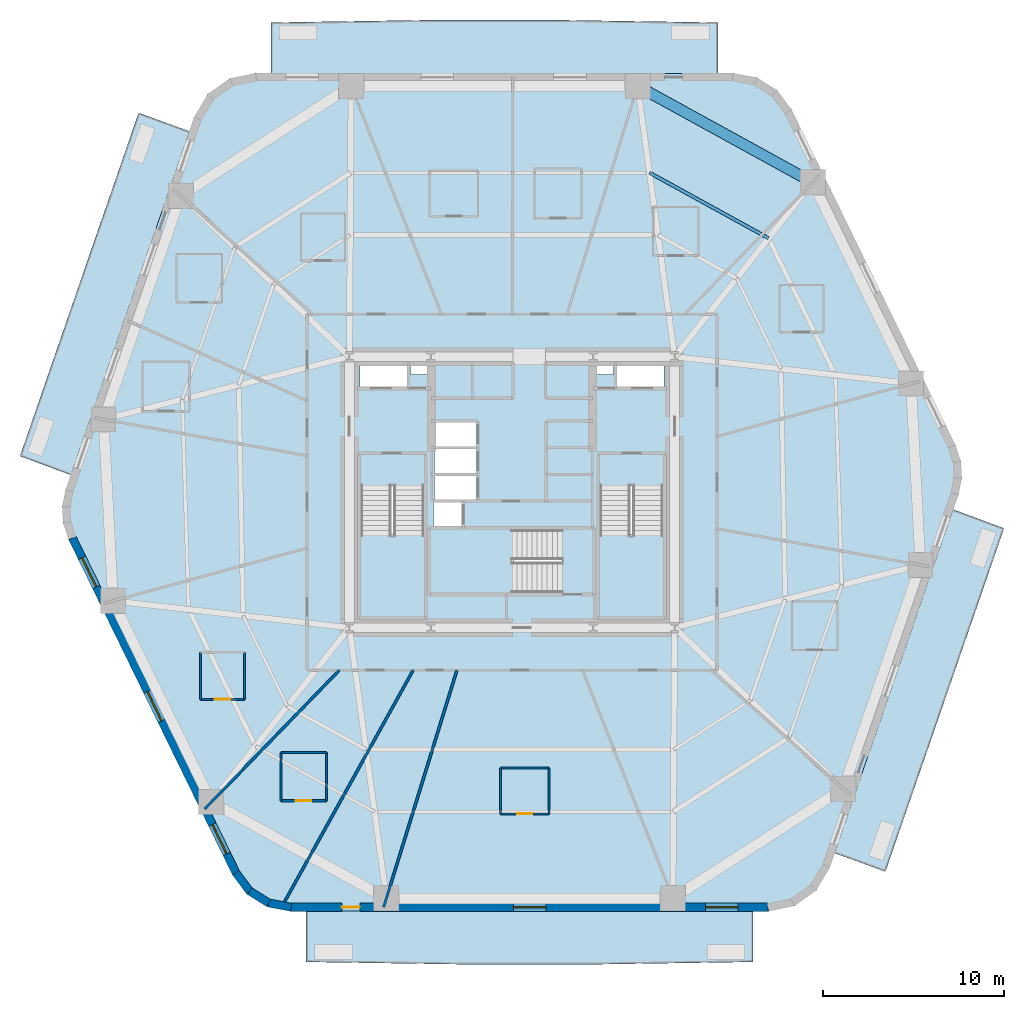
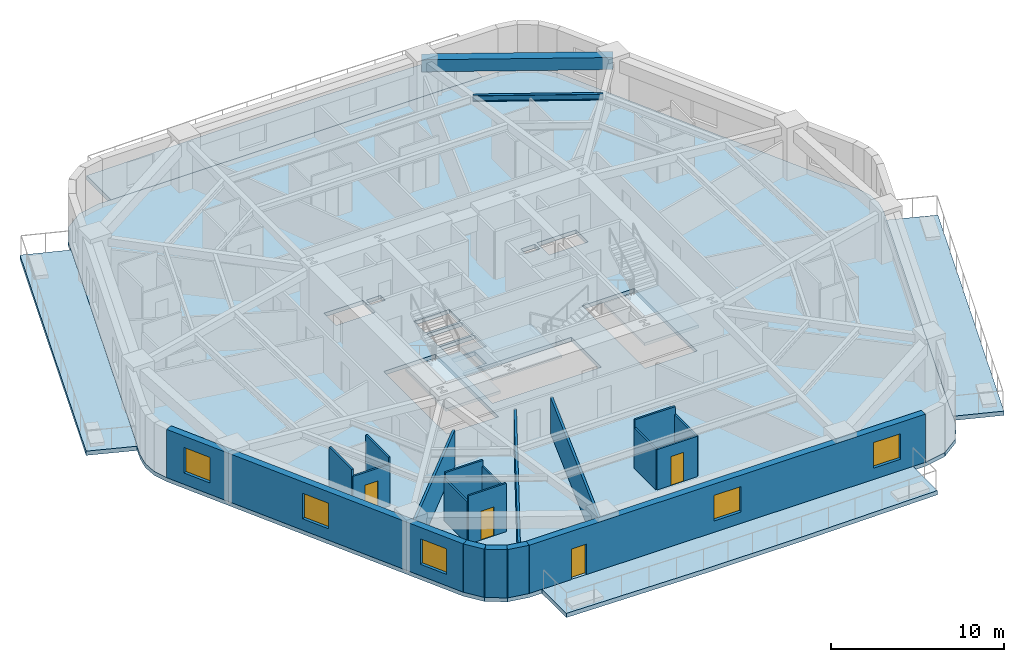
# One storey, part 2 of 10: 19 walls, 8 slabs, 5 windows, 4 doors, 2 beams, 9 openings, 3 elements without a shape of their own.
"""IFC4 building model written with IfcOpenShell, lengths in metres."""

from ifc_helpers import new_model, si_unit, direction, frame, frame_2d, origin, origin_2d, place, context, subcontext, project, spatial, polyline, rectangle, i_section, outline, extrude, material, layer, layer_set, material_profile, profile_set, type_object, element, fill, aggregate, save


model = new_model("IFC4")

# Units and contexts
model_context = context("Model", 3, precision=1e-05, world=origin(), true_north=direction((0.0, 1.0)))
body_context = subcontext(model_context, "Body", "Model", "MODEL_VIEW")
ifc_project = project(units=[si_unit("LENGTHUNIT", "METRE"), si_unit("AREAUNIT", "SQUARE_METRE"), si_unit("VOLUMEUNIT", "CUBIC_METRE"), si_unit("PLANEANGLEUNIT", "RADIAN"), si_unit("MASSUNIT", "GRAM", prefix="KILO")], contexts=[model_context])

# Site, building, storey
site_placement = place(None, origin())
site = spatial("IfcSite", under=ifc_project, at=site_placement, CompositionType="ELEMENT")
building_placement = place(site_placement, origin())
building = spatial("IfcBuilding", under=site, at=building_placement, Name="Kilnhurst Terrace Hotel", CompositionType="ELEMENT")
storey_placement = place(building_placement, frame((0.0, 0.0, 71.199951171875)))
storey = spatial("IfcBuildingStorey", under=building, at=storey_placement, Name="L16", CompositionType="ELEMENT", Elevation=71.199951171875)

# Beams
ifc_material_1 = material(Name="Concrete C50/60", Category="concrete")
ifc_material_profile_1 = material_profile(ifc_material_1, rectangle(XDim=0.60009765625, YDim=0.85009765625, at=origin_2d()), Name="RC600X850")
ifc_profile_set_1 = profile_set([ifc_material_profile_1], Name="Concrete C50/60")
beam_type_1 = type_object("IfcBeamType", Name="BM-SPN-600X850", PredefinedType="SPANDREL", material=ifc_profile_set_1)
beam_1_placement = place(storey_placement, frame((16.64306640625, 17.152099609375, 2.97509765625), z_axis=(-0.876235488803, 0.481883147829, 0.0), x_axis=(-0.481883147829, -0.876235488803, 0.0)))
element("IfcBeam", 1, at=beam_1_placement, inside=storey, type_object=beam_type_1, Name="L16 Perimeter Spandrel Beam 6", PredefinedType="SPANDREL", context=body_context, shape_type="SweptSolid", body=[
    extrude(rectangle(XDim=0.60009765625, YDim=0.85009765625, at=origin_2d()), origin(), (0.0, 0.0, 1.0), 11.056396484375),
])
ifc_material_2 = material(Name="Steel ASTM A992 Grade 50", Category="steel")
ifc_material_profile_2 = material_profile(ifc_material_2, i_section(OverallWidth=0.180908203125, OverallDepth=0.417236328125, WebThickness=0.010986328125, FlangeThickness=0.018310546875, at=origin_2d()), Name="W16X57")
ifc_profile_set_2 = profile_set([ifc_material_profile_2], Name="Steel ASTM A992 Grade 50")
beam_type_2 = type_object("IfcBeamType", Name="JST-STL-W16X57", PredefinedType="JOIST", material=ifc_profile_set_2)
beam_2_placement = place(storey_placement, frame((14.197265625, 14.0634765625, 3.191162109375), z_axis=(-0.876246073632, 0.481863900334, 0.0), x_axis=(-0.481863900334, -0.876246073632, 0.0)))
element("IfcBeam", 2, at=beam_2_placement, inside=storey, type_object=beam_type_2, Name="L16 Secondary Floor Steel Joist OUT.6", PredefinedType="JOIST", context=body_context, shape_type="SweptSolid", body=[
    extrude(i_section(OverallWidth=0.180908203125, OverallDepth=0.417236328125, WebThickness=0.010986328125, FlangeThickness=0.018310546875, at=origin_2d()), origin(), (0.0, 0.0, 1.0), 7.518310546875),
])

# Slabs
ifc_layer_1 = layer(ifc_material_1, 0.300048828125, Name="Concrete C50/60")
ifc_layer_set_1 = layer_set([ifc_layer_1], Name="Concrete C50/60")
slab_type_1 = type_object("IfcSlabType", Name="SLB-BAL-300", PredefinedType="FLOOR", material=ifc_layer_set_1)
slab_1_placement = place(storey_placement, frame((0.0, 0.0, -0.300048828125)))
element("IfcSlab", 3, at=slab_1_placement, inside=storey, type_object=slab_type_1, Name="L16 Cantilevered Planted Terrace Slab BAL-L1A", PredefinedType="FLOOR", context=body_context, shape_type="SweptSolid", body=[
    extrude(outline(polyline([(4.229248046875, -26.139892578125), (-2.279541015625, -26.139892578125), (-11.39208984375, -26.0), (-11.39208984375, -23.179931640625), (13.341552734375, -23.179931640625), (13.341552734375, -26.0), (4.229248046875, -26.139892578125)])), origin(), (0.0, 0.0, 1.0), 0.300048828125),
])
slab_2_placement = place(storey_placement, frame((0.0, 0.0, -0.300048828125)))
element("IfcSlab", 4, at=slab_2_placement, inside=storey, type_object=slab_type_1, Name="L16 Cantilevered Planted Terrace Slab BAL-L1B", PredefinedType="FLOOR", context=body_context, shape_type="SweptSolid", body=[
    extrude(outline(polyline([(20.670166015625, -21.0), (17.84912109375, -19.975341796875), (24.410888671875, -0.9501953125), (27.23388671875, -2.0), (23.98046875, -11.4296875), (20.670166015625, -21.0)])), origin(), (0.0, 0.0, 1.0), 0.300048828125),
])
slab_3_placement = place(storey_placement, frame((0.0, 0.0, -0.300048828125)))
element("IfcSlab", 5, at=slab_3_placement, inside=storey, type_object=slab_type_1, Name="L16 Cantilevered Planted Terrace Slab BAL-L2A", PredefinedType="FLOOR", context=body_context, shape_type="SweptSolid", body=[
    extrude(outline(polyline([(2.279541015625, 26.139892578125), (11.39208984375, 26.0), (11.39208984375, 23.179931640625), (-13.341552734375, 23.179931640625), (-13.341552734375, 26.0), (-4.229248046875, 26.139892578125), (2.279541015625, 26.139892578125)])), origin(), (0.0, 0.0, 1.0), 0.300048828125),
])
slab_4_placement = place(storey_placement, frame((0.0, 0.0, -0.300048828125)))
element("IfcSlab", 6, at=slab_4_placement, inside=storey, type_object=slab_type_1, Name="L16 Cantilevered Planted Terrace Slab BAL-L2B", PredefinedType="FLOOR", context=body_context, shape_type="SweptSolid", body=[
    extrude(outline(polyline([(-20.670166015625, 21.0), (-17.84912109375, 19.975341796875), (-24.410888671875, 0.9501953125), (-27.23388671875, 2.0), (-23.98046875, 11.4296875), (-20.670166015625, 21.0)])), origin(), (0.0, 0.0, 1.0), 0.300048828125),
])
ifc_layer_2 = layer(ifc_material_1, 0.280029296875, Name="Concrete C50/60")
ifc_layer_set_2 = layer_set([ifc_layer_2], Name="Concrete C50/60")
slab_type_2 = type_object("IfcSlabType", Name="SLB-FLR-280", PredefinedType="FLOOR", material=ifc_layer_set_2)
slab_5_placement = place(storey_placement, frame((0.0, 0.0, -0.280029296875)))
element("IfcSlab", 7, at=slab_5_placement, inside=storey, type_object=slab_type_2, Name="L16 Structural Floor Slab", PredefinedType="FLOOR", context=body_context, shape_type="SweptSolid", body=[
    extrude(outline(polyline([(-15.476806640625, -21.18017578125), (-14.680908203125, -22.248046875), (-13.551025390625, -22.95361328125), (-12.241943359375, -23.199951171875), (14.191650390625, -23.199951171875), (15.635986328125, -22.8974609375), (16.837890625, -22.040771484375), (17.5947265625, -20.773681640625), (24.712890625, -0.135986328125), (24.90087890625, 0.7861328125), (24.843505859375, 1.7255859375), (24.54443359375, 2.617919921875), (15.476806640625, 21.18017578125), (14.680908203125, 22.248046875), (13.551025390625, 22.95361328125), (12.241943359375, 23.199951171875), (-14.191650390625, 23.199951171875), (-15.635986328125, 22.8974609375), (-16.837890625, 22.040771484375), (-17.5947265625, 20.773681640625), (-24.712890625, 0.135986328125), (-24.90087890625, -0.7861328125), (-24.843505859375, -1.7255859375), (-24.54443359375, -2.617919921875), (-15.476806640625, -21.18017578125)]), holes=[polyline([(-8.35009765625, 0.35498046875), (-4.8798828125, 0.35498046875), (-4.8798828125, -6.89990234375), (-8.35009765625, -6.89990234375), (-8.35009765625, 0.35498046875)]), polyline([(-2.800048828125, -1.89990234375), (-4.35009765625, -1.89990234375), (-4.35009765625, -0.550048828125), (-2.800048828125, -0.550048828125), (-2.800048828125, -1.89990234375)]), polyline([(-1.949951171875, -0.429931640625), (-4.300048828125, -0.429931640625), (-4.300048828125, 0.89990234375), (-1.949951171875, 0.89990234375), (-1.949951171875, -0.429931640625)]), polyline([(-4.300048828125, 1.050048828125), (-4.300048828125, 2.3798828125), (-1.949951171875, 2.3798828125), (-1.949951171875, 1.050048828125), (-4.300048828125, 1.050048828125)]), polyline([(-8.39990234375, 5.75), (-8.39990234375, 7.14990234375), (-5.800048828125, 7.14990234375), (-5.800048828125, 5.75), (-8.39990234375, 5.75)]), polyline([(-4.659912109375, 6.52001953125), (-5.6201171875, 6.52001953125), (-5.6201171875, 7.080078125), (-4.659912109375, 7.080078125), (-4.659912109375, 6.52001953125)]), polyline([(2.7548828125, -5.550048828125), (-4.5, -5.550048828125), (-4.5, -2.080078125), (2.7548828125, -2.080078125), (2.7548828125, -5.550048828125)]), polyline([(8.35009765625, 0.35498046875), (8.35009765625, -6.89990234375), (4.8798828125, -6.89990234375), (4.8798828125, 0.35498046875), (8.35009765625, 0.35498046875)]), polyline([(-1.949951171875, 2.530029296875), (-4.300048828125, 2.530029296875), (-4.300048828125, 3.860107421875), (-1.949951171875, 3.860107421875), (-1.949951171875, 2.530029296875)]), polyline([(5.800048828125, 5.75), (5.800048828125, 7.14990234375), (8.39990234375, 7.14990234375), (8.39990234375, 5.75), (5.800048828125, 5.75)]), polyline([(4.659912109375, 6.52001953125), (4.659912109375, 7.080078125), (5.6201171875, 7.080078125), (5.6201171875, 6.52001953125), (4.659912109375, 6.52001953125)])]), origin(), (0.0, 0.0, 1.0), 0.280029296875),
])

# Stair, slab
stair_type = type_object("IfcStairType", Name="STR-CORE-1660", PredefinedType="HALF_TURN_STAIR", material=ifc_material_1)
stair_1_placement = place(storey_placement, origin())
stair_1 = element("IfcStair", 8, at=stair_1_placement, inside=storey, type_object=stair_type, Name="L16 ST-1", PredefinedType="HALF_TURN_STAIR")
ifc_layer_3 = layer(ifc_material_1, 0.199951171875, Name="Concrete C50/60")
ifc_layer_set_3 = layer_set([ifc_layer_3], Name="Concrete C50/60")
slab_type_3 = type_object("IfcSlabType", Name="SLB-ST-LND-200", PredefinedType="LANDING", material=ifc_layer_set_3)
slab_6_placement = place(storey_placement, frame((0.0, 0.0, 1.650146484375)))
slab_6 = element("IfcSlab", 9, at=slab_6_placement, type_object=slab_type_3, Name="ST-1 landing 1", PredefinedType="LANDING", context=body_context, shape_type="SweptSolid", body=[
    extrude(outline(polyline([(-8.429931640625, -2.330078125), (-4.800048828125, -2.330078125), (-4.800048828125, -6.97998046875), (-8.429931640625, -6.97998046875), (-8.429931640625, -2.330078125)])), origin(), (0.0, 0.0, 1.0), 0.199951171875),
])
aggregate(stair_1, [slab_6])

stair_2_placement = place(storey_placement, origin())
stair_2 = element("IfcStair", 10, at=stair_2_placement, inside=storey, type_object=stair_type, Name="L16 ST-2", PredefinedType="HALF_TURN_STAIR")
slab_7_placement = place(storey_placement, frame((0.0, 0.0, 1.650146484375)))
slab_7 = element("IfcSlab", 11, at=slab_7_placement, type_object=slab_type_3, Name="ST-2 landing 1", PredefinedType="LANDING", context=body_context, shape_type="SweptSolid", body=[
    extrude(outline(polyline([(4.800048828125, -2.330078125), (8.429931640625, -2.330078125), (8.429931640625, -6.97998046875), (4.800048828125, -6.97998046875), (4.800048828125, -2.330078125)])), origin(), (0.0, 0.0, 1.0), 0.199951171875),
])
aggregate(stair_2, [slab_7])

stair_3_placement = place(storey_placement, origin())
stair_3 = element("IfcStair", 12, at=stair_3_placement, inside=storey, type_object=stair_type, Name="L16 ST-3", PredefinedType="HALF_TURN_STAIR")
slab_8_placement = place(storey_placement, frame((0.0, 0.0, 1.650146484375)))
slab_8 = element("IfcSlab", 13, at=slab_8_placement, type_object=slab_type_3, Name="ST-3 landing 1", PredefinedType="LANDING", context=body_context, shape_type="SweptSolid", body=[
    extrude(outline(polyline([(0.070068359375, -2.0), (0.070068359375, -5.6298828125), (-4.580078125, -5.6298828125), (-4.580078125, -2.0), (0.070068359375, -2.0)])), origin(), (0.0, 0.0, 1.0), 0.199951171875),
])
aggregate(stair_3, [slab_8])

# Walls
ifc_material_3 = material(Name="Precast concrete C40/50", Category="concrete")
ifc_layer_4 = layer(ifc_material_3, 0.449951171875, Name="Precast concrete C40/50")
ifc_layer_set_4 = layer_set([ifc_layer_4], Name="Precast concrete C40/50")
wall_type_1 = type_object("IfcWallType", Name="WL-BRK-450", PredefinedType="SOLIDWALL", material=ifc_layer_set_4)
wall_1_placement = place(storey_placement, frame((-15.28369140625, -21.0625, 0.0), z_axis=(0.0, 0.0, 1.0), x_axis=(0.597595366449, -0.801797841104, 0.0)))
element("IfcWall", 14, at=wall_1_placement, inside=storey, type_object=wall_type_1, Name="L16 Rounded Corner Brick Wall C1.1", PredefinedType="SOLIDWALL", context=body_context, shape_type="SweptSolid", body=[
    extrude(rectangle(XDim=1.2685546875, YDim=0.449951171875, at=frame_2d((0.63427734375, 0.0))), origin(), (0.0, 0.0, 1.0), 3.400146484375),
])
wall_2_placement = place(storey_placement, frame((-14.525634765625, -22.07958984375, 0.0), z_axis=(0.0, 0.0, 1.0), x_axis=(0.848185203596, -0.529699783275, 0.0)))
element("IfcWall", 15, at=wall_2_placement, inside=storey, type_object=wall_type_1, Name="L16 Rounded Corner Brick Wall C1.2", PredefinedType="SOLIDWALL", context=body_context, shape_type="SweptSolid", body=[
    extrude(rectangle(XDim=1.247314453125, YDim=0.449951171875, at=frame_2d((0.62353515625, 0.0))), origin(), (0.0, 0.0, 1.0), 3.400146484375),
])
wall_3_placement = place(storey_placement, frame((-13.4677734375, -22.740234375, 0.0), z_axis=(0.0, 0.0, 1.0), x_axis=(0.982717174228, -0.185113358451, 0.0)))
element("IfcWall", 16, at=wall_3_placement, inside=storey, type_object=wall_type_1, Name="L16 Rounded Corner Brick Wall C1.3", PredefinedType="SOLIDWALL", context=body_context, shape_type="SweptSolid", body=[
    extrude(rectangle(XDim=1.268798828125, YDim=0.449951171875, at=frame_2d((0.63427734375, 0.0))), origin(), (0.0, 0.0, 1.0), 3.400146484375),
])

# Wall, openings, door, windows
wall_4_placement = place(storey_placement, frame((-12.220947265625, -22.97509765625, 0.0), z_axis=(0.0, 0.0, 1.0), x_axis=(1.0, 0.0, 0.0)))
wall_4 = element("IfcWall", 17, at=wall_4_placement, inside=storey, type_object=wall_type_1, Name="L16 Exterior Brick Facade Wall F1", PredefinedType="SOLIDWALL", context=body_context, shape_type="SweptSolid", body=[
    extrude(rectangle(XDim=26.38916015625, YDim=0.449951171875, at=frame_2d((13.194580078125, 0.0))), origin(), (0.0, 0.0, 1.0), 3.400146484375),
])
opening_1_placement = place(wall_4_placement, frame((2.799072265625, 0.0, 0.0)))
opening_1 = element("IfcOpeningElement", 18, at=opening_1_placement, cuts=wall_4, Name="Opening BD-1000", PredefinedType="OPENING", context=body_context, shape_type="SweptSolid", body=[
    extrude(rectangle(XDim=1.0, YDim=2.14990234375, at=frame_2d((0.5, 1.074951171875))), frame((0.0, 0.23486328125, 0.0), z_axis=(0.0, -1.0, 0.0), x_axis=(1.0, 0.0, 0.0)), (0.0, 0.0, 1.0), 0.469970703125),
])
opening_2_placement = place(wall_4_placement, frame((12.2958984375, 0.0, 0.800048828125)))
opening_2 = element("IfcOpeningElement", 19, at=opening_2_placement, cuts=wall_4, Name="Opening W-01", PredefinedType="OPENING", context=body_context, shape_type="SweptSolid", body=[
    extrude(rectangle(XDim=1.800048828125, YDim=1.800048828125, at=frame_2d((0.89990234375, 0.89990234375))), frame((0.0, 0.23486328125, 0.0), z_axis=(0.0, -1.0, 0.0), x_axis=(1.0, 0.0, 0.0)), (0.0, 0.0, 1.0), 0.469970703125),
])
opening_3_placement = place(wall_4_placement, frame((22.93798828125, 0.0, 0.800048828125)))
opening_3 = element("IfcOpeningElement", 20, at=opening_3_placement, cuts=wall_4, Name="Opening W-01", PredefinedType="OPENING", context=body_context, shape_type="SweptSolid", body=[
    extrude(rectangle(XDim=1.800048828125, YDim=1.800048828125, at=frame_2d((0.89990234375, 0.89990234375))), frame((0.0, 0.23486328125, 0.0), z_axis=(0.0, -1.0, 0.0), x_axis=(1.0, 0.0, 0.0)), (0.0, 0.0, 1.0), 0.469970703125),
])
ifc_material_4 = material(Name="Thermally Broken Bronze Aluminium Alloy 6063-T6 and Laminated Glass", Category="aluminium")
door_type_1 = type_object("IfcDoorType", Name="DR-EXT-BAL-1000", OperationType="NOTDEFINED", PredefinedType="DOOR", material=ifc_material_4)
door_1_placement = place(opening_1_placement, origin())
door_1 = element("IfcDoor", 21, at=door_1_placement, inside=storey, type_object=door_type_1, Name="L16 Planted Balcony Door BAL-L1A", OperationType="SINGLE_SWING_LEFT", OverallHeight=2.14990234375, OverallWidth=1.0, PredefinedType="DOOR", context=body_context, shape_type="SweptSolid", body=[
    extrude(rectangle(XDim=1.0, YDim=2.14990234375, at=frame_2d((0.5, 1.074951171875))), frame((0.0, 0.02490234375, 0.0), z_axis=(0.0, -1.0, 0.0), x_axis=(1.0, 0.0, 0.0)), (0.0, 0.0, 1.0), 0.050048828125),
])
fill(opening_1, door_1)
ifc_material_5 = material(Name="Thermally Broken Bronze Aluminium Alloy 6063-T6 and Low-E Glass", Category="aluminium")
window_type = type_object("IfcWindowType", Name="WIN-1800X1800", PartitioningType="SINGLE_PANEL", PredefinedType="WINDOW", material=ifc_material_5)
window_1_placement = place(opening_2_placement, origin())
window_1 = element("IfcWindow", 22, at=window_1_placement, inside=storey, type_object=window_type, Name="L16 Deep-Set Masonry Window F1.1", OverallHeight=1.800048828125, OverallWidth=1.800048828125, PartitioningType="SINGLE_PANEL", PredefinedType="WINDOW", context=body_context, shape_type="SweptSolid", body=[
    extrude(rectangle(XDim=1.800048828125, YDim=1.800048828125, at=frame_2d((0.89990234375, 0.89990234375))), frame((0.0, 0.030029296875, 0.0), z_axis=(0.0, -1.0, 0.0), x_axis=(1.0, 0.0, 0.0)), (0.0, 0.0, 1.0), 0.06005859375),
])
fill(opening_2, window_1)
window_2_placement = place(opening_3_placement, origin())
window_2 = element("IfcWindow", 23, at=window_2_placement, inside=storey, type_object=window_type, Name="L16 Deep-Set Masonry Window F1.2", OverallHeight=1.800048828125, OverallWidth=1.800048828125, PartitioningType="SINGLE_PANEL", PredefinedType="WINDOW", context=body_context, shape_type="SweptSolid", body=[
    extrude(rectangle(XDim=1.800048828125, YDim=1.800048828125, at=frame_2d((0.89990234375, 0.89990234375))), frame((0.0, 0.030029296875, 0.0), z_axis=(0.0, -1.0, 0.0), x_axis=(1.0, 0.0, 0.0)), (0.0, 0.0, 1.0), 0.06005859375),
])
fill(opening_3, window_2)

# Wall, openings, windows
wall_5_placement = place(storey_placement, frame((-24.335693359375, -2.532470703125, 0.0), z_axis=(0.0, 0.0, 1.0), x_axis=(0.438931326393, -0.898520612291, 0.0)))
wall_5 = element("IfcWall", 24, at=wall_5_placement, inside=storey, type_object=wall_type_1, Name="L16 Exterior Brick Facade Wall F6", PredefinedType="SOLIDWALL", context=body_context, shape_type="SweptSolid", body=[
    extrude(rectangle(XDim=20.622802734375, YDim=0.449951171875, at=frame_2d((10.3115234375, 0.0))), origin(), (0.0, 0.0, 1.0), 3.400146484375),
])
opening_4_placement = place(wall_5_placement, frame((1.214111328125, 0.0, 0.800048828125)))
opening_4 = element("IfcOpeningElement", 25, at=opening_4_placement, cuts=wall_5, Name="Opening W-01", PredefinedType="OPENING", context=body_context, shape_type="SweptSolid", body=[
    extrude(rectangle(XDim=1.800048828125, YDim=1.800048828125, at=frame_2d((0.89990234375, 0.89990234375))), frame((0.0, 0.23486328125, 0.0), z_axis=(0.0, -1.0, 0.0), x_axis=(1.0, 0.0, 0.0)), (0.0, 0.0, 1.0), 0.469970703125),
])
opening_5_placement = place(wall_5_placement, frame((9.4619140625, 0.0, 0.800048828125)))
opening_5 = element("IfcOpeningElement", 26, at=opening_5_placement, cuts=wall_5, Name="Opening W-01", PredefinedType="OPENING", context=body_context, shape_type="SweptSolid", body=[
    extrude(rectangle(XDim=1.800048828125, YDim=1.800048828125, at=frame_2d((0.89990234375, 0.89990234375))), frame((0.0, 0.23486328125, 0.0), z_axis=(0.0, -1.0, 0.0), x_axis=(1.0, 0.0, 0.0)), (0.0, 0.0, 1.0), 0.469970703125),
])
opening_6_placement = place(wall_5_placement, frame((17.659912109375, 0.0, 0.800048828125)))
opening_6 = element("IfcOpeningElement", 27, at=opening_6_placement, cuts=wall_5, Name="Opening W-01", PredefinedType="OPENING", context=body_context, shape_type="SweptSolid", body=[
    extrude(rectangle(XDim=1.800048828125, YDim=1.800048828125, at=frame_2d((0.89990234375, 0.89990234375))), frame((0.0, 0.23486328125, 0.0), z_axis=(0.0, -1.0, 0.0), x_axis=(1.0, 0.0, 0.0)), (0.0, 0.0, 1.0), 0.469970703125),
])
window_3_placement = place(opening_4_placement, origin())
window_3 = element("IfcWindow", 28, at=window_3_placement, inside=storey, type_object=window_type, Name="L16 Deep-Set Masonry Window F6.1", OverallHeight=1.800048828125, OverallWidth=1.800048828125, PartitioningType="SINGLE_PANEL", PredefinedType="WINDOW", context=body_context, shape_type="SweptSolid", body=[
    extrude(rectangle(XDim=1.800048828125, YDim=1.800048828125, at=frame_2d((0.89990234375, 0.89990234375))), frame((0.0, 0.030029296875, 0.0), z_axis=(0.0, -1.0, 0.0), x_axis=(1.0, 0.0, 0.0)), (0.0, 0.0, 1.0), 0.06005859375),
])
fill(opening_4, window_3)
window_4_placement = place(opening_5_placement, origin())
window_4 = element("IfcWindow", 29, at=window_4_placement, inside=storey, type_object=window_type, Name="L16 Deep-Set Masonry Window F6.2", OverallHeight=1.800048828125, OverallWidth=1.800048828125, PartitioningType="SINGLE_PANEL", PredefinedType="WINDOW", context=body_context, shape_type="SweptSolid", body=[
    extrude(rectangle(XDim=1.800048828125, YDim=1.800048828125, at=frame_2d((0.89990234375, 0.89990234375))), frame((0.0, 0.030029296875, 0.0), z_axis=(0.0, -1.0, 0.0), x_axis=(1.0, 0.0, 0.0)), (0.0, 0.0, 1.0), 0.06005859375),
])
fill(opening_5, window_4)
window_5_placement = place(opening_6_placement, origin())
window_5 = element("IfcWindow", 30, at=window_5_placement, inside=storey, type_object=window_type, Name="L16 Deep-Set Masonry Window F6.3", OverallHeight=1.800048828125, OverallWidth=1.800048828125, PartitioningType="SINGLE_PANEL", PredefinedType="WINDOW", context=body_context, shape_type="SweptSolid", body=[
    extrude(rectangle(XDim=1.800048828125, YDim=1.800048828125, at=frame_2d((0.89990234375, 0.89990234375))), frame((0.0, 0.030029296875, 0.0), z_axis=(0.0, -1.0, 0.0), x_axis=(1.0, 0.0, 0.0)), (0.0, 0.0, 1.0), 0.06005859375),
])
fill(opening_6, window_5)

# Walls
ifc_material_6 = material(Name="STC-58 Acoustic Twin-Frame Guestroom Demising Partition")
ifc_layer_5 = layer(ifc_material_6, 0.14990234375, Name="STC-58 Acoustic Twin-Frame Guestroom Demising Partition")
ifc_layer_set_5 = layer_set([ifc_layer_5], Name="STC-58 Acoustic Twin-Frame Guestroom Demising Partition")
wall_type_2 = type_object("IfcWallType", Name="WL-DEM-150", PredefinedType="PARTITIONING", material=ifc_layer_set_5)
wall_6_placement = place(storey_placement, frame((-9.5576171875, -9.85009765625, 0.0), z_axis=(0.0, 0.0, 1.0), x_axis=(-0.69638346089, -0.717669893056, 0.0)))
element("IfcWall", 31, at=wall_6_placement, inside=storey, type_object=wall_type_2, Name="L16 Interior Wall WL-L16-DEM-COL08-10-1", PredefinedType="PARTITIONING", context=body_context, shape_type="SweptSolid", body=[
    extrude(rectangle(XDim=10.700927734375, YDim=0.14990234375, at=frame_2d((5.3505859375, 0.0))), origin(), (0.0, 0.0, 1.0), 2.5400390625),
])
wall_7_placement = place(storey_placement, frame((-5.470703125, -9.85009765625, 0.0), z_axis=(0.0, 0.0, 1.0), x_axis=(-0.48553323157, -0.874218211341, 0.0)))
element("IfcWall", 32, at=wall_7_placement, inside=storey, type_object=wall_type_2, Name="L16 Interior Wall WL-L16-DEM-MID08-11-1", PredefinedType="PARTITIONING", context=body_context, shape_type="SweptSolid", body=[
    extrude(rectangle(XDim=14.739501953125, YDim=0.14990234375, at=frame_2d((7.36962890625, 0.0))), origin(), (0.0, 0.0, 1.0), 2.5400390625),
])
wall_8_placement = place(storey_placement, frame((-3.047607421875, -9.85009765625, 0.0), z_axis=(0.0, 0.0, 1.0), x_axis=(-0.295553992761, -0.955326037206, 0.0)))
element("IfcWall", 33, at=wall_8_placement, inside=storey, type_object=wall_type_2, Name="L16 Interior Wall WL-L16-DEM-COL09-12-1", PredefinedType="PARTITIONING", context=body_context, shape_type="SweptSolid", body=[
    extrude(rectangle(XDim=13.73876953125, YDim=0.14990234375, at=frame_2d((6.869384765625, 0.0))), origin(), (0.0, 0.0, 1.0), 2.5400390625),
])

# Wall, opening, door
ifc_material_7 = material(Name="120 mm Moisture-Resistant Tile-Backed Bathroom Partition")
ifc_layer_6 = layer(ifc_material_7, 0.1201171875, Name="120 mm Moisture-Resistant Tile-Backed Bathroom Partition")
ifc_layer_set_6 = layer_set([ifc_layer_6], Name="120 mm Moisture-Resistant Tile-Backed Bathroom Partition")
wall_type_3 = type_object("IfcWallType", Name="WL-PART-120", PredefinedType="PARTITIONING", material=ifc_layer_set_6)
wall_9_placement = place(storey_placement, frame((-17.243896484375, -11.469970703125, 0.0), z_axis=(0.0, 0.0, 1.0), x_axis=(1.0, 0.0, 0.0)))
wall_9 = element("IfcWall", 34, at=wall_9_placement, inside=storey, type_object=wall_type_3, Name="L16 Interior Wall WL-L16-BTH-09-1", PredefinedType="PARTITIONING", context=body_context, shape_type="SweptSolid", body=[
    extrude(rectangle(XDim=2.43994140625, YDim=0.1201171875, at=frame_2d((1.219970703125, 0.0))), origin(), (0.0, 0.0, 1.0), 2.926513671875),
])
opening_7_placement = place(wall_9_placement, frame((0.794921875, 0.0, 0.0)))
opening_7 = element("IfcOpeningElement", 35, at=opening_7_placement, cuts=wall_9, Name="Opening D-08A", PredefinedType="OPENING", context=body_context, shape_type="SweptSolid", body=[
    extrude(rectangle(XDim=0.85009765625, YDim=2.030029296875, at=frame_2d((0.425048828125, 1.01513671875))), frame((0.0, 0.070068359375, 0.0), z_axis=(0.0, -1.0, 0.0), x_axis=(1.0, 0.0, 0.0)), (0.0, 0.0, 1.0), 0.14013671875),
])
ifc_material_8 = material(Name="Moisture-Resistant Lacquered En-suite Bathroom Door")
door_type_2 = type_object("IfcDoorType", Name="DR-INT-850", OperationType="NOTDEFINED", PredefinedType="DOOR", material=ifc_material_8)
door_2_placement = place(opening_7_placement, origin())
door_2 = element("IfcDoor", 36, at=door_2_placement, inside=storey, type_object=door_type_2, Name="L16 En-suite Bathroom Door 9", OperationType="SINGLE_SWING_RIGHT", OverallHeight=2.030029296875, OverallWidth=0.85009765625, PredefinedType="DOOR", context=body_context, shape_type="SweptSolid", body=[
    extrude(rectangle(XDim=0.85009765625, YDim=2.030029296875, at=frame_2d((0.425048828125, 1.01513671875))), frame((0.0, 0.02490234375, 0.0), z_axis=(0.0, -1.0, 0.0), x_axis=(1.0, 0.0, 0.0)), (0.0, 0.0, 1.0), 0.050048828125),
])
fill(opening_7, door_2)

# Walls
for number, where, z_axis, x_axis, name in (
    (37, (-14.803955078125, -11.469970703125, 0.0), (0.0, 0.0, 1.0), (0.0, 1.0, 0.0), "L16 Interior Wall WL-L16-BTH-09-2"),
    (38, (-17.243896484375, -8.860107421875, 0.0), (0.0, 0.0, 1.0), (0.0, -1.0, 0.0), "L16 Interior Wall WL-L16-BTH-09-4"),
):
    element("IfcWall", number, at=place(storey_placement, frame(where, z_axis=z_axis, x_axis=x_axis)), inside=storey, type_object=wall_type_3, Name=name, PredefinedType="PARTITIONING", context=body_context, shape_type="SweptSolid", body=[
        extrude(rectangle(XDim=2.60986328125, YDim=0.1201171875, at=frame_2d((1.304931640625, 0.0))), origin(), (0.0, 0.0, 1.0), 3.400146484375),
    ])

# Wall, opening, door
wall_10_placement = place(storey_placement, frame((-12.794921875, -17.0810546875, 0.0), z_axis=(0.0, 0.0, 1.0), x_axis=(1.0, 0.0, 0.0)))
wall_10 = element("IfcWall", 39, at=wall_10_placement, inside=storey, type_object=wall_type_3, Name="L16 Interior Wall WL-L16-BTH-10-1", PredefinedType="PARTITIONING", context=body_context, shape_type="SweptSolid", body=[
    extrude(rectangle(XDim=2.52001953125, YDim=0.1201171875, at=frame_2d((1.260009765625, 0.0))), origin(), (0.0, 0.0, 1.0), 3.400146484375),
])
opening_8_placement = place(wall_10_placement, frame((0.8349609375, 0.0, 0.0)))
opening_8 = element("IfcOpeningElement", 40, at=opening_8_placement, cuts=wall_10, Name="Opening D-08A", PredefinedType="OPENING", context=body_context, shape_type="SweptSolid", body=[
    extrude(rectangle(XDim=0.85009765625, YDim=2.030029296875, at=frame_2d((0.425048828125, 1.01513671875))), frame((0.0, 0.070068359375, 0.0), z_axis=(0.0, -1.0, 0.0), x_axis=(1.0, 0.0, 0.0)), (0.0, 0.0, 1.0), 0.14013671875),
])
door_3_placement = place(opening_8_placement, origin())
door_3 = element("IfcDoor", 41, at=door_3_placement, inside=storey, type_object=door_type_2, Name="L16 En-suite Bathroom Door 10", OperationType="SINGLE_SWING_LEFT", OverallHeight=2.030029296875, OverallWidth=0.85009765625, PredefinedType="DOOR", context=body_context, shape_type="SweptSolid", body=[
    extrude(rectangle(XDim=0.85009765625, YDim=2.030029296875, at=frame_2d((0.425048828125, 1.01513671875))), frame((0.0, 0.02490234375, 0.0), z_axis=(0.0, -1.0, 0.0), x_axis=(1.0, 0.0, 0.0)), (0.0, 0.0, 1.0), 0.050048828125),
])
fill(opening_8, door_3)

# Walls
wall_11_placement = place(storey_placement, frame((-10.27490234375, -17.0810546875, 0.0), z_axis=(0.0, 0.0, 1.0), x_axis=(0.0, 1.0, 0.0)))
element("IfcWall", 42, at=wall_11_placement, inside=storey, type_object=wall_type_3, Name="L16 Interior Wall WL-L16-BTH-10-2", PredefinedType="PARTITIONING", context=body_context, shape_type="SweptSolid", body=[
    extrude(rectangle(XDim=2.68017578125, YDim=0.1201171875, at=frame_2d((1.340087890625, 0.0))), origin(), (0.0, 0.0, 1.0), 2.972412109375),
])
wall_12_placement = place(storey_placement, frame((-10.27490234375, -14.40087890625, 0.0), z_axis=(0.0, 0.0, 1.0), x_axis=(-1.0, 0.0, 0.0)))
element("IfcWall", 43, at=wall_12_placement, inside=storey, type_object=wall_type_3, Name="L16 Interior Wall WL-L16-BTH-10-3", PredefinedType="PARTITIONING", context=body_context, shape_type="SweptSolid", body=[
    extrude(rectangle(XDim=2.52001953125, YDim=0.1201171875, at=frame_2d((1.260009765625, 0.0))), origin(), (0.0, 0.0, 1.0), 3.400146484375),
])
wall_13_placement = place(storey_placement, frame((-12.794921875, -14.40087890625, 0.0), z_axis=(0.0, 0.0, 1.0), x_axis=(0.0, -1.0, 0.0)))
element("IfcWall", 44, at=wall_13_placement, inside=storey, type_object=wall_type_3, Name="L16 Interior Wall WL-L16-BTH-10-4", PredefinedType="PARTITIONING", context=body_context, shape_type="SweptSolid", body=[
    extrude(rectangle(XDim=2.68017578125, YDim=0.1201171875, at=frame_2d((1.340087890625, 0.0))), origin(), (0.0, 0.0, 1.0), 2.972412109375),
])

# Wall, opening, door
wall_14_placement = place(storey_placement, frame((-0.637939453125, -17.806884765625, 0.0), z_axis=(0.0, 0.0, 1.0), x_axis=(1.0, 0.0, 0.0)))
wall_14 = element("IfcWall", 45, at=wall_14_placement, inside=storey, type_object=wall_type_3, Name="L16 Interior Wall WL-L16-BTH-12-1", PredefinedType="PARTITIONING", context=body_context, shape_type="SweptSolid", body=[
    extrude(rectangle(XDim=2.679931640625, YDim=0.1201171875, at=frame_2d((1.33984375, 0.0))), origin(), (0.0, 0.0, 1.0), 2.84033203125),
])
opening_9_placement = place(wall_14_placement, frame((0.9150390625, 0.0, 0.0)))
opening_9 = element("IfcOpeningElement", 46, at=opening_9_placement, cuts=wall_14, Name="Opening D-08A", PredefinedType="OPENING", context=body_context, shape_type="SweptSolid", body=[
    extrude(rectangle(XDim=0.85009765625, YDim=2.030029296875, at=frame_2d((0.425048828125, 1.01513671875))), frame((0.0, 0.070068359375, 0.0), z_axis=(0.0, -1.0, 0.0), x_axis=(1.0, 0.0, 0.0)), (0.0, 0.0, 1.0), 0.14013671875),
])
door_4_placement = place(opening_9_placement, origin())
door_4 = element("IfcDoor", 47, at=door_4_placement, inside=storey, type_object=door_type_2, Name="L16 En-suite Bathroom Door 12", OperationType="SINGLE_SWING_LEFT", OverallHeight=2.030029296875, OverallWidth=0.85009765625, PredefinedType="DOOR", context=body_context, shape_type="SweptSolid", body=[
    extrude(rectangle(XDim=0.85009765625, YDim=2.030029296875, at=frame_2d((0.425048828125, 1.01513671875))), frame((0.0, 0.02490234375, 0.0), z_axis=(0.0, -1.0, 0.0), x_axis=(1.0, 0.0, 0.0)), (0.0, 0.0, 1.0), 0.050048828125),
])
fill(opening_9, door_4)

# Walls
wall_15_placement = place(storey_placement, frame((2.0419921875, -17.806884765625, 0.0), z_axis=(0.0, 0.0, 1.0), x_axis=(0.0, 1.0, 0.0)))
element("IfcWall", 48, at=wall_15_placement, inside=storey, type_object=wall_type_3, Name="L16 Interior Wall WL-L16-BTH-12-2", PredefinedType="PARTITIONING", context=body_context, shape_type="SweptSolid", body=[
    extrude(rectangle(XDim=2.539794921875, YDim=0.1201171875, at=frame_2d((1.27001953125, 0.0))), origin(), (0.0, 0.0, 1.0), 2.84033203125),
])
wall_16_placement = place(storey_placement, frame((2.0419921875, -15.26708984375, 0.0), z_axis=(0.0, 0.0, 1.0), x_axis=(-1.0, 0.0, 0.0)))
element("IfcWall", 49, at=wall_16_placement, inside=storey, type_object=wall_type_3, Name="L16 Interior Wall WL-L16-BTH-12-3", PredefinedType="PARTITIONING", context=body_context, shape_type="SweptSolid", body=[
    extrude(rectangle(XDim=2.679931640625, YDim=0.1201171875, at=frame_2d((1.33984375, 0.0))), origin(), (0.0, 0.0, 1.0), 3.400146484375),
])
wall_17_placement = place(storey_placement, frame((-0.637939453125, -15.26708984375, 0.0), z_axis=(0.0, 0.0, 1.0), x_axis=(0.0, -1.0, 0.0)))
element("IfcWall", 50, at=wall_17_placement, inside=storey, type_object=wall_type_3, Name="L16 Interior Wall WL-L16-BTH-12-4", PredefinedType="PARTITIONING", context=body_context, shape_type="SweptSolid", body=[
    extrude(rectangle(XDim=2.539794921875, YDim=0.1201171875, at=frame_2d((1.27001953125, 0.0))), origin(), (0.0, 0.0, 1.0), 2.84033203125),
])

save(model, "model.ifc")
